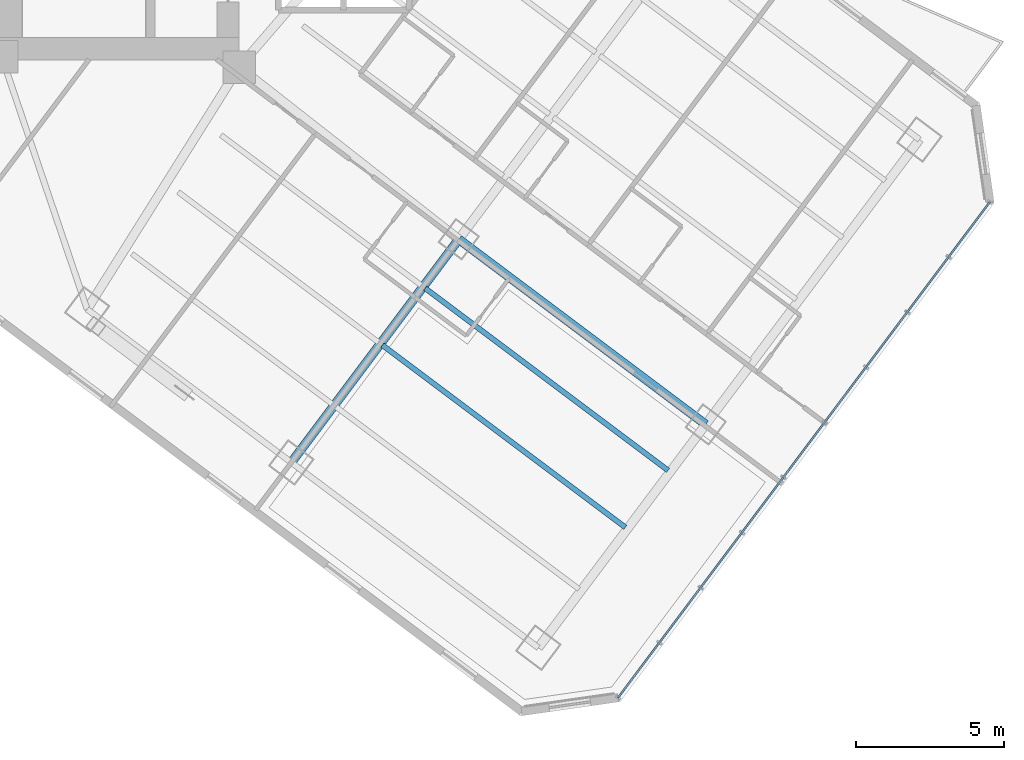
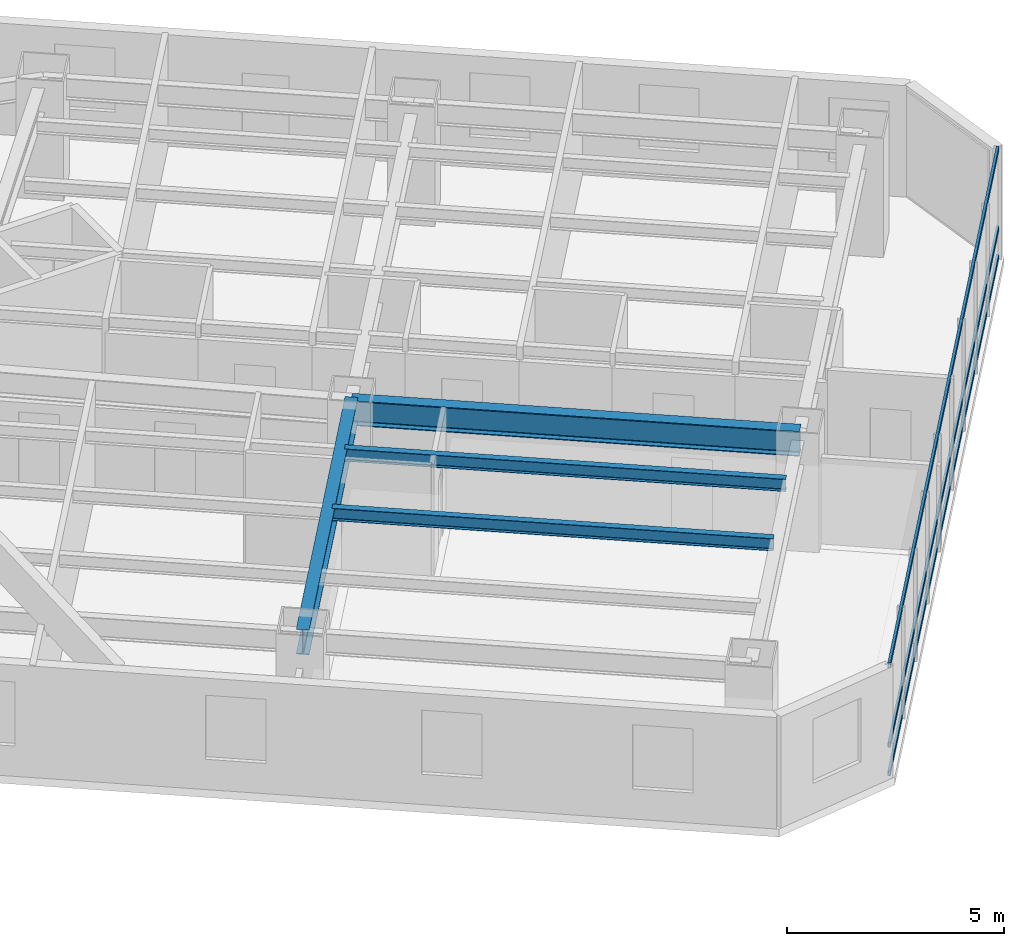
# One storey, part 9 of 33: 4 beams, 3 members, 1 element without a shape of its own.
"""IFC4 building model written with IfcOpenShell, lengths in metres."""

from ifc_helpers import new_model, si_unit, direction, frame, origin, origin_2d, place, context, subcontext, project, spatial, hollow_rectangle, i_section, extrude, material, layer, layer_set, material_profile, profile_set, type_object, element, aggregate, save


model = new_model("IFC4")

# Units and contexts
model_context = context("Model", 3, precision=1e-05, world=origin(), true_north=direction((0.0, 1.0)))
body_context = subcontext(model_context, "Body", "Model", "MODEL_VIEW")
ifc_project = project(units=[si_unit("LENGTHUNIT", "METRE"), si_unit("AREAUNIT", "SQUARE_METRE"), si_unit("VOLUMEUNIT", "CUBIC_METRE"), si_unit("PLANEANGLEUNIT", "RADIAN"), si_unit("MASSUNIT", "GRAM", prefix="KILO")], contexts=[model_context])

# Site, building, storey
site_placement = place(None, origin())
site = spatial("IfcSite", under=ifc_project, at=site_placement, CompositionType="ELEMENT")
building_placement = place(site_placement, origin())
building = spatial("IfcBuilding", under=site, at=building_placement, Name="Hatsunagi Terrace Concourse", CompositionType="ELEMENT")
storey_placement = place(building_placement, frame((0.0, 0.0, 56.699951171875)))
storey = spatial("IfcBuildingStorey", under=building, at=storey_placement, Name="L14", CompositionType="ELEMENT", Elevation=56.699951171875)

# Curtain wall, members
ifc_material_1 = material(Name="Anodised Aluminium Alloy 6063-T5", Category="aluminium")
ifc_layer = layer(ifc_material_1, 0.199951171875)
ifc_layer_set = layer_set([ifc_layer], Name="HotelFacade_CW02")
curtain_wall_type = type_object("IfcCurtainWallType", Name="HotelFacade_CW02", PredefinedType="NOTDEFINED", material=ifc_layer_set)
curtain_wall_placement = place(storey_placement, origin())
curtain_wall = element("IfcCurtainWall", 1, at=curtain_wall_placement, inside=storey, type_object=curtain_wall_type, Name="Unitised Curtain Wall CW-02 CW-L14-03", PredefinedType="NOTDEFINED")
ifc_material_2 = material(Name="Anodised Aluminium Alloy 6063-T5", Category="aluminium")
ifc_material_profile_1 = material_profile(ifc_material_2, hollow_rectangle(XDim=0.06494140625, YDim=0.139892578125, WallThickness=0.00390625, at=origin_2d()), Name="ALU-TRN-140x65x4")
ifc_profile_set_1 = profile_set([ifc_material_profile_1], Name="Anodised Aluminium Alloy 6063-T5")
member_type = type_object("IfcMemberType", Name="CurtainWallTransom_140x65", PredefinedType="USERDEFINED", material=ifc_profile_set_1)
member_1_placement = place(storey_placement, frame((69.093017578125, 19.657958984375, 0.050048828125), z_axis=(-0.599970072971, -0.800022444397, 0.0), x_axis=(0.800022444397, -0.599970072971, 0.0)))
member_1 = element("IfcMember", 2, at=member_1_placement, type_object=member_type, Name="Curtain Wall Transom TRN-02", ObjectType="TRANSOM", PredefinedType="USERDEFINED", context=body_context, shape_type="SweptSolid", body=[
    extrude(hollow_rectangle(XDim=0.06494140625, YDim=0.139892578125, WallThickness=0.00390625, at=origin_2d()), origin(), (0.0, 0.0, 1.0), 20.884521484375),
])
member_2_placement = place(storey_placement, frame((69.093017578125, 19.657958984375, 0.85009765625), z_axis=(-0.599970072971, -0.800022444397, 0.0), x_axis=(0.800022444397, -0.599970072971, 0.0)))
member_2 = element("IfcMember", 3, at=member_2_placement, type_object=member_type, Name="Curtain Wall Transom TRN-02", ObjectType="TRANSOM", PredefinedType="USERDEFINED", context=body_context, shape_type="SweptSolid", body=[
    extrude(hollow_rectangle(XDim=0.06494140625, YDim=0.139892578125, WallThickness=0.00390625, at=origin_2d()), origin(), (0.0, 0.0, 1.0), 20.884521484375),
])
member_3_placement = place(storey_placement, frame((69.093017578125, 19.657958984375, 3.080078125), z_axis=(-0.599970072971, -0.800022444397, 0.0), x_axis=(0.800022444397, -0.599970072971, 0.0)))
member_3 = element("IfcMember", 4, at=member_3_placement, type_object=member_type, Name="Curtain Wall Transom TRN-02", ObjectType="TRANSOM", PredefinedType="USERDEFINED", context=body_context, shape_type="SweptSolid", body=[
    extrude(hollow_rectangle(XDim=0.06494140625, YDim=0.139892578125, WallThickness=0.00390625, at=origin_2d()), origin(), (0.0, 0.0, 1.0), 20.884521484375),
])
aggregate(curtain_wall, [member_1, member_2, member_3])

# Beams
ifc_material_3 = material(Name="Steel SN490B", Category="steel")
ifc_material_profile_2 = material_profile(ifc_material_3, i_section(OverallWidth=0.300048828125, OverallDepth=0.699951171875, WebThickness=0.012939453125, FlangeThickness=0.02392578125, FilletRadius=0.02197265625, at=origin_2d()), Name="H-700x300x13x24")
ifc_profile_set_2 = profile_set([ifc_material_profile_2], Name="Steel SN490B")
beam_type_1 = type_object("IfcBeamType", Name="HotelFloorGirder_H_700x300", PredefinedType="BEAM", material=ifc_profile_set_2)
beam_1_placement = place(storey_placement, frame((45.56005859375, 10.8798828125, 2.780029296875), z_axis=(0.599991688754, 0.800006233367, 0.0), x_axis=(-0.800006233367, 0.599991688754, 0.0)))
element("IfcBeam", 5, at=beam_1_placement, inside=storey, type_object=beam_type_1, Name="Beam G-04 BM-L14-SET-2A", PredefinedType="BEAM", context=body_context, shape_type="SweptSolid", body=[
    extrude(i_section(OverallWidth=0.300048828125, OverallDepth=0.699951171875, WebThickness=0.012939453125, FlangeThickness=0.02392578125, FilletRadius=0.02197265625, at=origin_2d()), origin(), (0.0, 0.0, 1.0), 9.39990234375),
])
beam_2_placement = place(storey_placement, frame((51.199951171875, 18.39990234375, 2.780029296875), z_axis=(0.800002816985, -0.599996244001, 0.0), x_axis=(0.599996244001, 0.800002816985, 0.0)))
element("IfcBeam", 6, at=beam_2_placement, inside=storey, type_object=beam_type_1, Name="Beam G-04 BM-L14-SE-M3", PredefinedType="BEAM", context=body_context, shape_type="SweptSolid", body=[
    extrude(i_section(OverallWidth=0.300048828125, OverallDepth=0.699951171875, WebThickness=0.012939453125, FlangeThickness=0.02392578125, FilletRadius=0.02197265625, at=origin_2d()), origin(), (0.0, 0.0, 1.0), 10.400146484375),
])
ifc_material_4 = material(Name="Steel SN490B", Category="steel")
ifc_material_profile_3 = material_profile(ifc_material_4, i_section(OverallWidth=0.175048828125, OverallDepth=0.35009765625, WebThickness=0.007080078125, FlangeThickness=0.010986328125, FilletRadius=0.012939453125, at=origin_2d()), Name="H-350x175x7x11")
ifc_profile_set_3 = profile_set([ifc_material_profile_3], Name="Steel SN490B")
beam_type_2 = type_object("IfcBeamType", Name="HotelJoist_H_350x175", PredefinedType="JOIST", material=ifc_profile_set_3)
beam_3_placement = place(storey_placement, frame((48.6279296875, 14.8291015625, 2.955078125), z_axis=(0.799994272423, -0.600007636694, 0.0), x_axis=(0.600007636694, 0.799994272423, 0.0)))
element("IfcBeam", 7, at=beam_3_placement, inside=storey, type_object=beam_type_2, Name="Beam J-02 J-L14-SE-3-72", PredefinedType="JOIST", context=body_context, shape_type="SweptSolid", body=[
    extrude(i_section(OverallWidth=0.175048828125, OverallDepth=0.35009765625, WebThickness=0.007080078125, FlangeThickness=0.010986328125, FilletRadius=0.012939453125, at=origin_2d()), origin(), (0.0, 0.0, 1.0), 10.230224609375),
])
beam_4_placement = place(storey_placement, frame((50.068115234375, 16.7490234375, 2.955078125), z_axis=(0.799997136125, -0.600003818481, 0.0), x_axis=(0.600003818481, 0.799997136125, 0.0)))
element("IfcBeam", 8, at=beam_4_placement, inside=storey, type_object=beam_type_2, Name="Beam J-02 J-L14-SE-3-96", PredefinedType="JOIST", context=body_context, shape_type="SweptSolid", body=[
    extrude(i_section(OverallWidth=0.175048828125, OverallDepth=0.35009765625, WebThickness=0.007080078125, FlangeThickness=0.010986328125, FilletRadius=0.012939453125, at=origin_2d()), origin(), (0.0, 0.0, 1.0), 10.229736328125),
])

save(model, "model.ifc")
